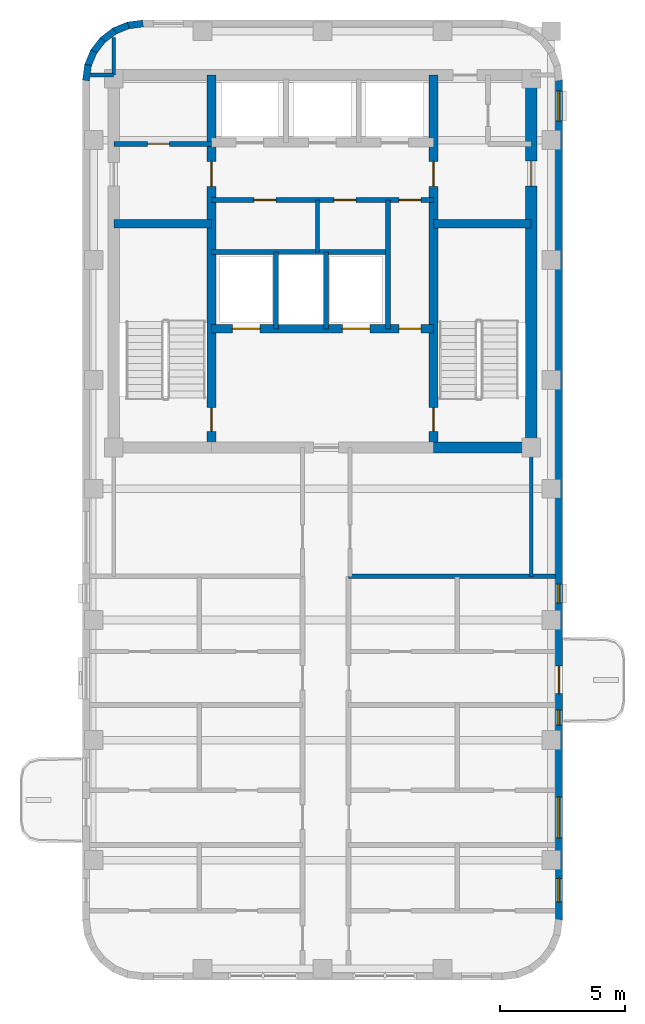
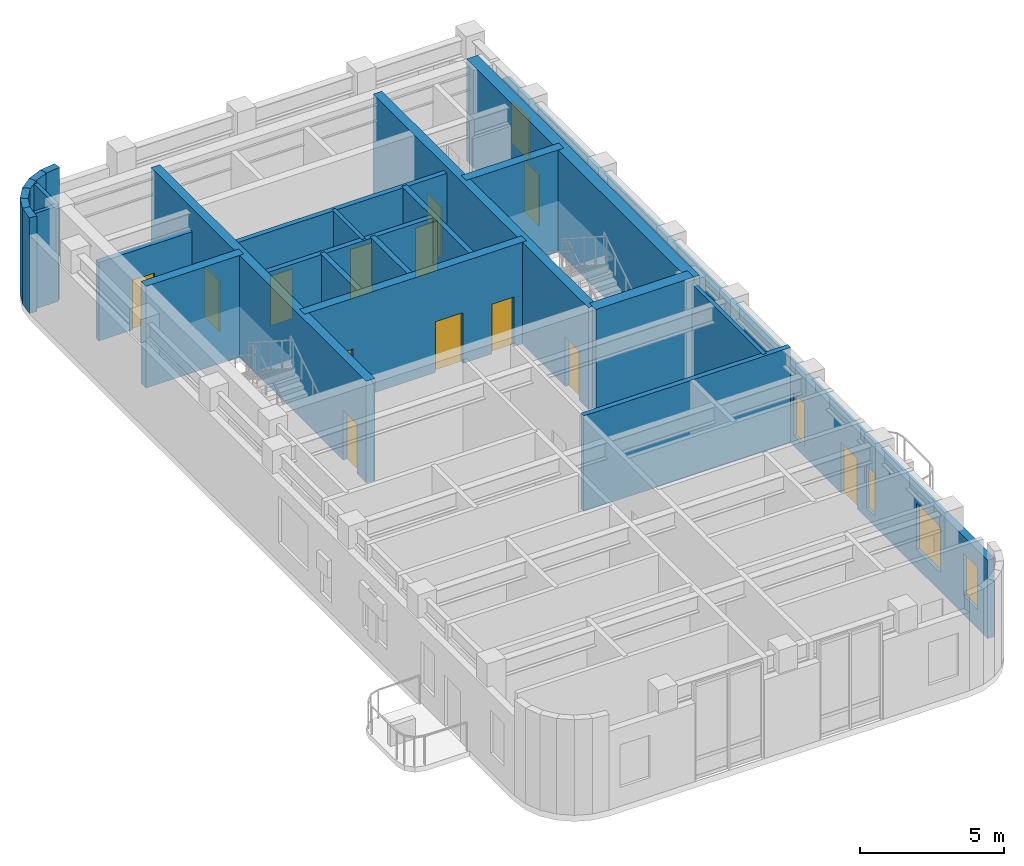
# One storey, part 4 of 6: 25 walls, 13 doors, 5 windows, 18 openings.
"""IFC4 building model written with IfcOpenShell, lengths in metres."""

from ifc_helpers import new_model, si_unit, direction, frame, frame_2d, origin, place, context, subcontext, project, spatial, rectangle, extrude, material, layer, layer_set, type_object, element, fill, save


model = new_model("IFC4")

# Units and contexts
model_context = context("Model", 3, precision=1e-05, world=origin(), true_north=direction((0.0, 1.0)))
body_context = subcontext(model_context, "Body", "Model", "MODEL_VIEW")
ifc_project = project(units=[si_unit("LENGTHUNIT", "METRE"), si_unit("AREAUNIT", "SQUARE_METRE"), si_unit("VOLUMEUNIT", "CUBIC_METRE"), si_unit("PLANEANGLEUNIT", "RADIAN"), si_unit("MASSUNIT", "GRAM", prefix="KILO")], contexts=[model_context])

# Site, building, storey
site_placement = place(None, origin())
site = spatial("IfcSite", under=ifc_project, at=site_placement, CompositionType="ELEMENT")
building_placement = place(site_placement, origin())
building = spatial("IfcBuilding", under=site, at=building_placement, Name="Orvandelia Arch Residences", CompositionType="ELEMENT")
storey_placement = place(building_placement, frame((0.0, 0.0, 252.699951171875)))
storey = spatial("IfcBuildingStorey", under=building, at=storey_placement, Name="L66", CompositionType="ELEMENT", Elevation=252.699951171875)

# Wall, openings, doors
ifc_material_1 = material(Name="Concrete C50/60", Category="concrete")
ifc_layer_1 = layer(ifc_material_1, 0.35009765625, Name="Concrete C50/60", Category="concrete")
ifc_layer_set_1 = layer_set([ifc_layer_1], Name="Concrete C50/60")
wall_type_1 = type_object("IfcWallType", Name="WL-CORE-350", PredefinedType="SHEAR", material=ifc_layer_set_1)
wall_1_placement = place(storey_placement, frame((9.9599609375, 30.89990234375, 0.0), z_axis=(0.0, 0.0, 1.0), x_axis=(0.0, 1.0, 0.0)))
wall_1 = element("IfcWall", 1, at=wall_1_placement, inside=storey, type_object=wall_type_1, Name="Core Shear Wall L66-WEB1", PredefinedType="SHEAR", context=body_context, shape_type="SweptSolid", body=[
    extrude(rectangle(XDim=14.900146484375, YDim=0.35009765625, at=frame_2d((7.4501953125, 0.0))), origin(), (0.0, 0.0, 1.0), 4.300048828125),
])
opening_1_placement = place(wall_1_placement, frame((0.64990234375, 0.0, 0.0)))
opening_1 = element("IfcOpeningElement", 2, at=opening_1_placement, cuts=wall_1, Name="Opening D7", PredefinedType="OPENING", context=body_context, shape_type="SweptSolid", body=[
    extrude(rectangle(XDim=0.949951171875, YDim=2.10009765625, at=frame_2d((0.47509765625, 1.050048828125))), frame((0.0, 0.18505859375, 0.0), z_axis=(0.0, -1.0, 0.0), x_axis=(1.0, 0.0, 0.0)), (0.0, 0.0, 1.0), 0.3701171875),
])
opening_2_placement = place(wall_1_placement, frame((10.449951171875, 0.0, 0.0)))
opening_2 = element("IfcOpeningElement", 3, at=opening_2_placement, cuts=wall_1, Name="Opening D6", PredefinedType="OPENING", context=body_context, shape_type="SweptSolid", body=[
    extrude(rectangle(XDim=1.0, YDim=2.14990234375, at=frame_2d((0.5, 1.074951171875))), frame((0.0, 0.18505859375, 0.0), z_axis=(0.0, -1.0, 0.0), x_axis=(1.0, 0.0, 0.0)), (0.0, 0.0, 1.0), 0.3701171875),
])
ifc_material_2 = material(Name="Smokeproof Painted Steel Fire Door", Category="steel")
door_type_1 = type_object("IfcDoorType", Name="DR-FD60-1000", OperationType="NOTDEFINED", PredefinedType="DOOR", material=ifc_material_2)
door_1_placement = place(opening_2_placement, origin())
door_1 = element("IfcDoor", 4, at=door_1_placement, inside=storey, type_object=door_type_1, Name="High-Rise Lift Hall West Vestibule Door L66", OperationType="SINGLE_SWING_LEFT", OverallHeight=2.14990234375, OverallWidth=1.0, PredefinedType="DOOR", context=body_context, shape_type="SweptSolid", body=[
    extrude(rectangle(XDim=1.0, YDim=2.14990234375, at=frame_2d((0.5, 1.074951171875))), frame((0.0, 0.02490234375, 0.0), z_axis=(0.0, -1.0, 0.0), x_axis=(1.0, 0.0, 0.0)), (0.0, 0.0, 1.0), 0.050048828125),
])
fill(opening_2, door_1)
ifc_material_3 = material(Name="Pressurised Stairwell Fire Door")
door_type_2 = type_object("IfcDoorType", Name="DR-STAIR-950", OperationType="NOTDEFINED", PredefinedType="DOOR", material=ifc_material_3)
door_2_placement = place(opening_1_placement, origin())
door_2 = element("IfcDoor", 5, at=door_2_placement, inside=storey, type_object=door_type_2, Name="Stairwell ST-1 Fire Door L66", OperationType="SINGLE_SWING_LEFT", OverallHeight=2.10009765625, OverallWidth=0.949951171875, PredefinedType="DOOR", context=body_context, shape_type="SweptSolid", body=[
    extrude(rectangle(XDim=0.949951171875, YDim=2.10009765625, at=frame_2d((0.47509765625, 1.050048828125))), frame((0.0, 0.02490234375, 0.0), z_axis=(0.0, -1.0, 0.0), x_axis=(1.0, 0.0, 0.0)), (0.0, 0.0, 1.0), 0.050048828125),
])
fill(opening_1, door_2)

wall_2_placement = place(storey_placement, frame((18.840087890625, 30.89990234375, 0.0), z_axis=(0.0, 0.0, 1.0), x_axis=(0.0, 1.0, 0.0)))
wall_2 = element("IfcWall", 6, at=wall_2_placement, inside=storey, type_object=wall_type_1, Name="Core Shear Wall L66-WEB2", PredefinedType="SHEAR", context=body_context, shape_type="SweptSolid", body=[
    extrude(rectangle(XDim=14.900146484375, YDim=0.35009765625, at=frame_2d((7.4501953125, 0.0))), origin(), (0.0, 0.0, 1.0), 4.300048828125),
])
opening_3_placement = place(wall_2_placement, frame((0.64990234375, 0.0, 0.0)))
opening_3 = element("IfcOpeningElement", 7, at=opening_3_placement, cuts=wall_2, Name="Opening D7", PredefinedType="OPENING", context=body_context, shape_type="SweptSolid", body=[
    extrude(rectangle(XDim=0.949951171875, YDim=2.10009765625, at=frame_2d((0.47509765625, 1.050048828125))), frame((0.0, 0.18505859375, 0.0), z_axis=(0.0, -1.0, 0.0), x_axis=(1.0, 0.0, 0.0)), (0.0, 0.0, 1.0), 0.3701171875),
])
opening_4_placement = place(wall_2_placement, frame((10.449951171875, 0.0, 0.0)))
opening_4 = element("IfcOpeningElement", 8, at=opening_4_placement, cuts=wall_2, Name="Opening D6", PredefinedType="OPENING", context=body_context, shape_type="SweptSolid", body=[
    extrude(rectangle(XDim=1.0, YDim=2.14990234375, at=frame_2d((0.5, 1.074951171875))), frame((0.0, 0.18505859375, 0.0), z_axis=(0.0, -1.0, 0.0), x_axis=(1.0, 0.0, 0.0)), (0.0, 0.0, 1.0), 0.3701171875),
])
door_3_placement = place(opening_4_placement, origin())
door_3 = element("IfcDoor", 9, at=door_3_placement, inside=storey, type_object=door_type_1, Name="High-Rise Lift Hall East Vestibule Door L66", OperationType="SINGLE_SWING_RIGHT", OverallHeight=2.14990234375, OverallWidth=1.0, PredefinedType="DOOR", context=body_context, shape_type="SweptSolid", body=[
    extrude(rectangle(XDim=1.0, YDim=2.14990234375, at=frame_2d((0.5, 1.074951171875))), frame((0.0, 0.02490234375, 0.0), z_axis=(0.0, -1.0, 0.0), x_axis=(1.0, 0.0, 0.0)), (0.0, 0.0, 1.0), 0.050048828125),
])
fill(opening_4, door_3)
door_4_placement = place(opening_3_placement, origin())
door_4 = element("IfcDoor", 10, at=door_4_placement, inside=storey, type_object=door_type_2, Name="Stairwell ST-2 Fire Door L66", OperationType="SINGLE_SWING_RIGHT", OverallHeight=2.10009765625, OverallWidth=0.949951171875, PredefinedType="DOOR", context=body_context, shape_type="SweptSolid", body=[
    extrude(rectangle(XDim=0.949951171875, YDim=2.10009765625, at=frame_2d((0.47509765625, 1.050048828125))), frame((0.0, 0.02490234375, 0.0), z_axis=(0.0, -1.0, 0.0), x_axis=(1.0, 0.0, 0.0)), (0.0, 0.0, 1.0), 0.050048828125),
])
fill(opening_3, door_4)

# Walls
for number, where, z_axis, x_axis, name in (
    (11, (6.050048828125, 39.85009765625, 0.0), (0.0, 0.0, 1.0), (1.0, 0.0, 0.0), "Core Shear Wall L66-HZ1"),
    (12, (18.840087890625, 39.85009765625, 0.0), (0.0, 0.0, 1.0), (1.0, 0.0, 0.0), "Core Shear Wall L66-HZ2"),
):
    element("IfcWall", number, at=place(storey_placement, frame(where, z_axis=z_axis, x_axis=x_axis)), inside=storey, type_object=wall_type_1, Name=name, PredefinedType="SHEAR", context=body_context, shape_type="SweptSolid", body=[
        extrude(rectangle(XDim=3.909912109375, YDim=0.35009765625, at=frame_2d((1.955078125, 0.0))), origin(), (0.0, 0.0, 1.0), 4.300048828125),
    ])

# Wall, openings, doors
wall_3_placement = place(storey_placement, frame((9.9599609375, 35.64990234375, 0.0), z_axis=(0.0, 0.0, 1.0), x_axis=(1.0, 0.0, 0.0)))
wall_3 = element("IfcWall", 13, at=wall_3_placement, inside=storey, type_object=wall_type_1, Name="Core Shear Wall L66-HZ3", PredefinedType="SHEAR", context=body_context, shape_type="SweptSolid", body=[
    extrude(rectangle(XDim=8.880126953125, YDim=0.35009765625, at=frame_2d((4.43994140625, 0.0))), origin(), (0.0, 0.0, 1.0), 4.300048828125),
])
opening_5_placement = place(wall_3_placement, frame((0.840087890625, 0.0, 0.0)))
opening_5 = element("IfcOpeningElement", 14, at=opening_5_placement, cuts=wall_3, Name="Opening FLD", PredefinedType="OPENING", context=body_context, shape_type="SweptSolid", body=[
    extrude(rectangle(XDim=1.10009765625, YDim=2.14990234375, at=frame_2d((0.550048828125, 1.074951171875))), frame((0.0, 0.18505859375, 0.0), z_axis=(0.0, -1.0, 0.0), x_axis=(1.0, 0.0, 0.0)), (0.0, 0.0, 1.0), 0.3701171875),
])
opening_6_placement = place(wall_3_placement, frame((5.239990234375, 0.0, 0.0)))
opening_6 = element("IfcOpeningElement", 15, at=opening_6_placement, cuts=wall_3, Name="Opening FLD", PredefinedType="OPENING", context=body_context, shape_type="SweptSolid", body=[
    extrude(rectangle(XDim=1.10009765625, YDim=2.14990234375, at=frame_2d((0.550048828125, 1.074951171875))), frame((0.0, 0.18505859375, 0.0), z_axis=(0.0, -1.0, 0.0), x_axis=(1.0, 0.0, 0.0)), (0.0, 0.0, 1.0), 0.3701171875),
])
opening_7_placement = place(wall_3_placement, frame((7.5, 0.0, 0.0)))
opening_7 = element("IfcOpeningElement", 16, at=opening_7_placement, cuts=wall_3, Name="Opening D5", PredefinedType="OPENING", context=body_context, shape_type="SweptSolid", body=[
    extrude(rectangle(XDim=0.8798828125, YDim=2.10009765625, at=frame_2d((0.43994140625, 1.050048828125))), frame((0.0, 0.18505859375, 0.0), z_axis=(0.0, -1.0, 0.0), x_axis=(1.0, 0.0, 0.0)), (0.0, 0.0, 1.0), 0.3701171875),
])
ifc_material_4 = material(Name="Firefighting Lift Stainless Sliding Door")
door_type_3 = type_object("IfcDoorType", Name="DR-FLFT-1100", OperationType="NOTDEFINED", PredefinedType="DOOR", material=ifc_material_4)
door_5_placement = place(opening_5_placement, origin())
door_5 = element("IfcDoor", 17, at=door_5_placement, inside=storey, type_object=door_type_3, Name="Firefighting Lift Landing Door FLD-FL1-L66", OperationType="SLIDING_TO_LEFT", OverallHeight=2.14990234375, OverallWidth=1.10009765625, PredefinedType="DOOR", context=body_context, shape_type="SweptSolid", body=[
    extrude(rectangle(XDim=1.10009765625, YDim=2.14990234375, at=frame_2d((0.550048828125, 1.074951171875))), frame((0.0, 0.02490234375, 0.0), z_axis=(0.0, -1.0, 0.0), x_axis=(1.0, 0.0, 0.0)), (0.0, 0.0, 1.0), 0.050048828125),
])
fill(opening_5, door_5)
door_6_placement = place(opening_6_placement, origin())
door_6 = element("IfcDoor", 18, at=door_6_placement, inside=storey, type_object=door_type_3, Name="Firefighting Lift Landing Door FLD-FL2-L66", OperationType="SLIDING_TO_RIGHT", OverallHeight=2.14990234375, OverallWidth=1.10009765625, PredefinedType="DOOR", context=body_context, shape_type="SweptSolid", body=[
    extrude(rectangle(XDim=1.10009765625, YDim=2.14990234375, at=frame_2d((0.550048828125, 1.074951171875))), frame((0.0, 0.02490234375, 0.0), z_axis=(0.0, -1.0, 0.0), x_axis=(1.0, 0.0, 0.0)), (0.0, 0.0, 1.0), 0.050048828125),
])
fill(opening_6, door_6)
ifc_material_5 = material(Name="Painted Galvanised Steel Service Door", Category="steel")
door_type_4 = type_object("IfcDoorType", Name="DR-SRV-880", OperationType="NOTDEFINED", PredefinedType="DOOR", material=ifc_material_5)
door_7_placement = place(opening_7_placement, origin())
door_7 = element("IfcDoor", 19, at=door_7_placement, inside=storey, type_object=door_type_4, Name="Core Stairway Passage South Fire Door L66", OperationType="SINGLE_SWING_LEFT", OverallHeight=2.10009765625, OverallWidth=0.8798828125, PredefinedType="DOOR", context=body_context, shape_type="SweptSolid", body=[
    extrude(rectangle(XDim=0.8798828125, YDim=2.10009765625, at=frame_2d((0.43994140625, 1.050048828125))), frame((0.0, 0.02490234375, 0.0), z_axis=(0.0, -1.0, 0.0), x_axis=(1.0, 0.0, 0.0)), (0.0, 0.0, 1.0), 0.050048828125),
])
fill(opening_7, door_7)

# Wall, opening, door
ifc_layer_2 = layer(ifc_material_1, 0.449951171875, Name="Concrete C50/60", Category="concrete")
ifc_layer_set_2 = layer_set([ifc_layer_2], Name="Concrete C50/60")
wall_type_2 = type_object("IfcWallType", Name="WL-CORE-450", PredefinedType="SHEAR", material=ifc_layer_set_2)
wall_4_placement = place(storey_placement, frame((22.75, 30.675048828125, 0.0), z_axis=(0.0, 0.0, 1.0), x_axis=(0.0, 1.0, 0.0)))
wall_4 = element("IfcWall", 20, at=wall_4_placement, inside=storey, type_object=wall_type_2, Name="Core Shear Wall L66-E", PredefinedType="SHEAR", context=body_context, shape_type="SweptSolid", body=[
    extrude(rectangle(XDim=15.349853515625, YDim=0.449951171875, at=frame_2d((7.6748046875, 0.0))), origin(), (0.0, 0.0, 1.0), 4.300048828125),
])
opening_8_placement = place(wall_4_placement, frame((10.675048828125, 0.0, 0.0)))
opening_8 = element("IfcOpeningElement", 21, at=opening_8_placement, cuts=wall_4, Name="Opening D6", PredefinedType="OPENING", context=body_context, shape_type="SweptSolid", body=[
    extrude(rectangle(XDim=1.0, YDim=2.14990234375, at=frame_2d((0.5, 1.074951171875))), frame((0.0, 0.23486328125, 0.0), z_axis=(0.0, -1.0, 0.0), x_axis=(1.0, 0.0, 0.0)), (0.0, 0.0, 1.0), 0.469970703125),
])
door_8_placement = place(opening_8_placement, origin())
door_8 = element("IfcDoor", 22, at=door_8_placement, inside=storey, type_object=door_type_1, Name="Core East Corridor Link Door L66", OperationType="SINGLE_SWING_LEFT", OverallHeight=2.14990234375, OverallWidth=1.0, PredefinedType="DOOR", context=body_context, shape_type="SweptSolid", body=[
    extrude(rectangle(XDim=1.0, YDim=2.14990234375, at=frame_2d((0.5, 1.074951171875))), frame((0.0, 0.02490234375, 0.0), z_axis=(0.0, -1.0, 0.0), x_axis=(1.0, 0.0, 0.0)), (0.0, 0.0, 1.0), 0.050048828125),
])
fill(opening_8, door_8)

# Walls
wall_5_placement = place(storey_placement, frame((18.840087890625, 30.89990234375, 0.0), z_axis=(0.0, 0.0, 1.0), x_axis=(1.0, 0.0, 0.0)))
element("IfcWall", 23, at=wall_5_placement, inside=storey, type_object=wall_type_2, Name="Core Shear Wall L66-SE", PredefinedType="SHEAR", context=body_context, shape_type="SweptSolid", body=[
    extrude(rectangle(XDim=3.909912109375, YDim=0.449951171875, at=frame_2d((1.955078125, 0.0))), origin(), (0.0, 0.0, 1.0), 4.300048828125),
])
ifc_material_6 = material(Name="Fire-Rated Corridor Partition")
ifc_layer_3 = layer(ifc_material_6, 0.199951171875, Name="Fire-Rated Corridor Partition")
ifc_layer_set_3 = layer_set([ifc_layer_3], Name="Fire-Rated Corridor Partition")
wall_type_3 = type_object("IfcWallType", Name="WL-CORR-200", PredefinedType="PARTITIONING", material=ifc_layer_set_3)
wall_6_placement = place(storey_placement, frame((15.449951171875, 25.75, 0.0), z_axis=(0.0, 0.0, 1.0), x_axis=(1.0, 0.0, 0.0)))
element("IfcWall", 24, at=wall_6_placement, inside=storey, type_object=wall_type_3, Name="Interior Partition Wall WL-L66-WCLS-E", PredefinedType="PARTITIONING", context=body_context, shape_type="SweptSolid", body=[
    extrude(rectangle(XDim=8.27001953125, YDim=0.199951171875, at=frame_2d((4.135009765625, 0.0))), origin(), (0.0, 0.0, 1.0), 4.0400390625),
])
ifc_material_7 = material(Name="Precast concrete C40/50", Category="concrete")
ifc_layer_4 = layer(ifc_material_7, 0.280029296875, Name="Precast concrete C40/50", Category="concrete")
ifc_layer_set_4 = layer_set([ifc_layer_4], Name="Precast concrete C40/50")
wall_type_4 = type_object("IfcWallType", Name="WL-EXT-STONE-280", PredefinedType="STANDARD", material=ifc_layer_set_4)
for number, where, z_axis, x_axis, name in (
    (25, (4.938720703125, 45.581787109375, 0.0), (0.0, 0.0, 1.0), (0.130555323746, 0.9914410257, 0.0), "Coral-Limestone Precast Facade Wall L66-001"),
    (26, (5.010986328125, 46.16748046875, 0.0), (0.0, 0.0, 1.0), (0.382650053678, 0.92389335771, 0.0), "Coral-Limestone Precast Facade Wall L66-002"),
    (27, (5.232666015625, 46.71484375, 0.0), (0.0, 0.0, 1.0), (0.608693302629, 0.793405610854, 0.0), "Coral-Limestone Precast Facade Wall L66-003"),
    (28, (5.588134765625, 47.18603515625, 0.0), (0.0, 0.0, 1.0), (0.793405610854, 0.608693302629, 0.0), "Coral-Limestone Precast Facade Wall L66-004"),
):
    element("IfcWall", number, at=place(storey_placement, frame(where, z_axis=z_axis, x_axis=x_axis)), inside=storey, type_object=wall_type_4, Name=name, PredefinedType="STANDARD", context=body_context, shape_type="SweptSolid", body=[
        extrude(rectangle(XDim=0.62646484375, YDim=0.280029296875, at=frame_2d((0.313232421875, 0.0))), origin(), (0.0, 0.0, 1.0), 4.0400390625),
    ])
wall_7_placement = place(storey_placement, frame((6.0537109375, 47.54931640625, 0.0), z_axis=(0.0, 0.0, 1.0), x_axis=(0.923974080304, 0.382455093999, 0.0)))
element("IfcWall", 29, at=wall_7_placement, inside=storey, type_object=wall_type_4, Name="Coral-Limestone Precast Facade Wall L66-005", PredefinedType="STANDARD", context=body_context, shape_type="SweptSolid", body=[
    extrude(rectangle(XDim=0.626220703125, YDim=0.280029296875, at=frame_2d((0.31298828125, 0.0))), origin(), (0.0, 0.0, 1.0), 4.0400390625),
])
wall_8_placement = place(storey_placement, frame((6.59716796875, 47.779296875, 0.0), z_axis=(0.0, 0.0, 1.0), x_axis=(0.9914410257, 0.130555323746, 0.0)))
element("IfcWall", 30, at=wall_8_placement, inside=storey, type_object=wall_type_4, Name="Coral-Limestone Precast Facade Wall L66-006", PredefinedType="STANDARD", context=body_context, shape_type="SweptSolid", body=[
    extrude(rectangle(XDim=0.62646484375, YDim=0.280029296875, at=frame_2d((0.313232421875, 0.0))), origin(), (0.0, 0.0, 1.0), 4.0400390625),
])

# Wall, openings, door, windows
wall_9_placement = place(storey_placement, frame((23.860107421875, 45.60009765625, 0.0), z_axis=(0.0, 0.0, 1.0), x_axis=(0.0, -1.0, 0.0)))
wall_9 = element("IfcWall", 31, at=wall_9_placement, inside=storey, type_object=wall_type_4, Name="Coral-Limestone Precast Facade Wall L66-014", PredefinedType="STANDARD", context=body_context, shape_type="SweptSolid", body=[
    extrude(rectangle(XDim=33.60009765625, YDim=0.280029296875, at=frame_2d((16.800048828125, 0.0))), origin(), (0.0, 0.0, 1.0), 3.320068359375),
])
opening_9_placement = place(wall_9_placement, frame((23.449951171875, 0.0, 0.0)))
opening_9 = element("IfcOpeningElement", 32, at=opening_9_placement, cuts=wall_9, Name="Opening BD1", PredefinedType="OPENING", context=body_context, shape_type="SweptSolid", body=[
    extrude(rectangle(XDim=1.10009765625, YDim=2.14990234375, at=frame_2d((0.550048828125, 1.074951171875))), frame((0.0, 0.14990234375, 0.0), z_axis=(0.0, -1.0, 0.0), x_axis=(1.0, 0.0, 0.0)), (0.0, 0.0, 1.0), 0.300048828125),
])
opening_10_placement = place(wall_9_placement, frame((28.678955078125, 0.0, 0.800048828125)))
opening_10 = element("IfcOpeningElement", 33, at=opening_10_placement, cuts=wall_9, Name="Opening W9", PredefinedType="OPENING", context=body_context, shape_type="SweptSolid", body=[
    extrude(rectangle(XDim=1.64990234375, YDim=1.949951171875, at=frame_2d((0.824951171875, 0.97509765625))), frame((0.0, 0.14990234375, 0.0), z_axis=(0.0, -1.0, 0.0), x_axis=(1.0, 0.0, 0.0)), (0.0, 0.0, 1.0), 0.300048828125),
])
opening_11_placement = place(wall_9_placement, frame((0.4326171875, 0.0, 0.800048828125)))
opening_11 = element("IfcOpeningElement", 34, at=opening_11_placement, cuts=wall_9, Name="Opening W3", PredefinedType="OPENING", context=body_context, shape_type="SweptSolid", body=[
    extrude(rectangle(XDim=1.199951171875, YDim=1.800048828125, at=frame_2d((0.60009765625, 0.89990234375))), frame((0.0, 0.14990234375, 0.0), z_axis=(0.0, -1.0, 0.0), x_axis=(1.0, 0.0, 0.0)), (0.0, 0.0, 1.0), 0.300048828125),
])
opening_12_placement = place(wall_9_placement, frame((31.9345703125, 0.0, 0.800048828125)))
opening_12 = element("IfcOpeningElement", 35, at=opening_12_placement, cuts=wall_9, Name="Opening W4", PredefinedType="OPENING", context=body_context, shape_type="SweptSolid", body=[
    extrude(rectangle(XDim=0.949951171875, YDim=1.800048828125, at=frame_2d((0.47509765625, 0.89990234375))), frame((0.0, 0.14990234375, 0.0), z_axis=(0.0, -1.0, 0.0), x_axis=(1.0, 0.0, 0.0)), (0.0, 0.0, 1.0), 0.300048828125),
])
opening_13_placement = place(wall_9_placement, frame((25.202392578125, 0.0, 0.449951171875)))
opening_13 = element("IfcOpeningElement", 36, at=opening_13_placement, cuts=wall_9, Name="Opening W12", PredefinedType="OPENING", context=body_context, shape_type="SweptSolid", body=[
    extrude(rectangle(XDim=0.60009765625, YDim=1.800048828125, at=frame_2d((0.300048828125, 0.89990234375))), frame((0.0, 0.14990234375, 0.0), z_axis=(0.0, -1.0, 0.0), x_axis=(1.0, 0.0, 0.0)), (0.0, 0.0, 1.0), 0.300048828125),
])
opening_14_placement = place(wall_9_placement, frame((20.16748046875, 0.0, 0.449951171875)))
opening_14 = element("IfcOpeningElement", 37, at=opening_14_placement, cuts=wall_9, Name="Opening W11", PredefinedType="OPENING", context=body_context, shape_type="SweptSolid", body=[
    extrude(rectangle(XDim=0.75, YDim=1.800048828125, at=frame_2d((0.375, 0.89990234375))), frame((0.0, 0.14990234375, 0.0), z_axis=(0.0, -1.0, 0.0), x_axis=(1.0, 0.0, 0.0)), (0.0, 0.0, 1.0), 0.300048828125),
])
ifc_material_8 = material(Name="Thermally Broken Aluminium Glazed Door", Category="aluminium")
door_type_5 = type_object("IfcDoorType", Name="DR-BAL-GLAZ-1100", OperationType="NOTDEFINED", PredefinedType="DOOR", material=ifc_material_8)
door_9_placement = place(opening_9_placement, origin())
door_9 = element("IfcDoor", 38, at=door_9_placement, inside=storey, type_object=door_type_5, Name="Tree Balcony Glazed Door BAL-L66-W2", OperationType="SINGLE_SWING_LEFT", OverallHeight=2.14990234375, OverallWidth=1.10009765625, PredefinedType="DOOR", context=body_context, shape_type="SweptSolid", body=[
    extrude(rectangle(XDim=1.10009765625, YDim=2.14990234375, at=frame_2d((0.550048828125, 1.074951171875))), frame((0.0, 0.02490234375, 0.0), z_axis=(0.0, -1.0, 0.0), x_axis=(1.0, 0.0, 0.0)), (0.0, 0.0, 1.0), 0.050048828125),
])
fill(opening_9, door_9)
ifc_material_9 = material(Name="Tempered Low-E Insulated Glazing", Category="glass")
window_type_1 = type_object("IfcWindowType", Name="WIN-BED-0750x1800", PartitioningType="SINGLE_PANEL", PredefinedType="WINDOW", material=ifc_material_9)
window_1_placement = place(opening_14_placement, origin())
window_1 = element("IfcWindow", 39, at=window_1_placement, inside=storey, type_object=window_type_1, Name="Recessed Punched Window L66-006", OverallHeight=1.800048828125, OverallWidth=0.75, PartitioningType="SINGLE_PANEL", PredefinedType="WINDOW", context=body_context, shape_type="SweptSolid", body=[
    extrude(rectangle(XDim=0.75, YDim=1.800048828125, at=frame_2d((0.375, 0.89990234375))), frame((0.0, 0.030029296875, 0.0), z_axis=(0.0, -1.0, 0.0), x_axis=(1.0, 0.0, 0.0)), (0.0, 0.0, 1.0), 0.06005859375),
])
fill(opening_14, window_1)
window_type_2 = type_object("IfcWindowType", Name="WIN-LAN-0600x1800", PartitioningType="SINGLE_PANEL", PredefinedType="WINDOW", material=ifc_material_9)
window_2_placement = place(opening_13_placement, origin())
window_2 = element("IfcWindow", 40, at=window_2_placement, inside=storey, type_object=window_type_2, Name="Recessed Punched Window L66-005", OverallHeight=1.800048828125, OverallWidth=0.60009765625, PartitioningType="SINGLE_PANEL", PredefinedType="WINDOW", context=body_context, shape_type="SweptSolid", body=[
    extrude(rectangle(XDim=0.60009765625, YDim=1.800048828125, at=frame_2d((0.300048828125, 0.89990234375))), frame((0.0, 0.030029296875, 0.0), z_axis=(0.0, -1.0, 0.0), x_axis=(1.0, 0.0, 0.0)), (0.0, 0.0, 1.0), 0.06005859375),
])
fill(opening_13, window_2)
window_type_3 = type_object("IfcWindowType", Name="WIN-RES-0950x1800", PartitioningType="SINGLE_PANEL", PredefinedType="WINDOW", material=ifc_material_9)
window_3_placement = place(opening_12_placement, origin())
window_3 = element("IfcWindow", 41, at=window_3_placement, inside=storey, type_object=window_type_3, Name="Recessed Punched Window L66-004", OverallHeight=1.800048828125, OverallWidth=0.949951171875, PartitioningType="SINGLE_PANEL", PredefinedType="WINDOW", context=body_context, shape_type="SweptSolid", body=[
    extrude(rectangle(XDim=0.949951171875, YDim=1.800048828125, at=frame_2d((0.47509765625, 0.89990234375))), frame((0.0, 0.030029296875, 0.0), z_axis=(0.0, -1.0, 0.0), x_axis=(1.0, 0.0, 0.0)), (0.0, 0.0, 1.0), 0.06005859375),
])
fill(opening_12, window_3)
window_type_4 = type_object("IfcWindowType", Name="WIN-RES-1200x1800", PartitioningType="SINGLE_PANEL", PredefinedType="WINDOW", material=ifc_material_9)
window_4_placement = place(opening_11_placement, origin())
window_4 = element("IfcWindow", 42, at=window_4_placement, inside=storey, type_object=window_type_4, Name="Recessed Punched Window L66-003", OverallHeight=1.800048828125, OverallWidth=1.199951171875, PartitioningType="SINGLE_PANEL", PredefinedType="WINDOW", context=body_context, shape_type="SweptSolid", body=[
    extrude(rectangle(XDim=1.199951171875, YDim=1.800048828125, at=frame_2d((0.60009765625, 0.89990234375))), frame((0.0, 0.030029296875, 0.0), z_axis=(0.0, -1.0, 0.0), x_axis=(1.0, 0.0, 0.0)), (0.0, 0.0, 1.0), 0.06005859375),
])
fill(opening_11, window_4)
window_type_5 = type_object("IfcWindowType", Name="WIN-UPP-1650x1950", PartitioningType="SINGLE_PANEL", PredefinedType="WINDOW", material=ifc_material_9)
window_5_placement = place(opening_10_placement, origin())
window_5 = element("IfcWindow", 43, at=window_5_placement, inside=storey, type_object=window_type_5, Name="Recessed Punched Window L66-002", OverallHeight=1.949951171875, OverallWidth=1.64990234375, PartitioningType="SINGLE_PANEL", PredefinedType="WINDOW", context=body_context, shape_type="SweptSolid", body=[
    extrude(rectangle(XDim=1.64990234375, YDim=1.949951171875, at=frame_2d((0.824951171875, 0.97509765625))), frame((0.0, 0.030029296875, 0.0), z_axis=(0.0, -1.0, 0.0), x_axis=(1.0, 0.0, 0.0)), (0.0, 0.0, 1.0), 0.06005859375),
])
fill(opening_10, window_5)

# Walls
ifc_material_10 = material(Name="Acoustic Gypsum Stud Partition")
ifc_layer_5 = layer(ifc_material_10, 0.14990234375, Name="Acoustic Gypsum Stud Partition")
ifc_layer_set_5 = layer_set([ifc_layer_5], Name="Acoustic Gypsum Stud Partition")
wall_type_5 = type_object("IfcWallType", Name="WL-PART-150", PredefinedType="PARTITIONING", material=ifc_layer_set_5)
wall_10_placement = place(storey_placement, frame((14.199951171875, 38.719970703125, 0.0), z_axis=(0.0, 0.0, 1.0), x_axis=(0.0, 1.0, 0.0)))
element("IfcWall", 44, at=wall_10_placement, inside=storey, type_object=wall_type_5, Name="Interior Partition Wall WL-L66-CSA-1", PredefinedType="PARTITIONING", context=body_context, shape_type="SweptSolid", body=[
    extrude(rectangle(XDim=2.080078125, YDim=0.14990234375, at=frame_2d((1.0400390625, 0.0))), origin(), (0.0, 0.0, 1.0), 4.0400390625),
])
wall_11_placement = place(storey_placement, frame((22.75, 25.75, 0.0), z_axis=(0.0, 0.0, 1.0), x_axis=(0.0, 1.0, 0.0)))
element("IfcWall", 45, at=wall_11_placement, inside=storey, type_object=wall_type_5, Name="Interior Partition Wall WL-L66-HI-WE", PredefinedType="PARTITIONING", context=body_context, shape_type="SweptSolid", body=[
    extrude(rectangle(XDim=5.14990234375, YDim=0.14990234375, at=frame_2d((2.574951171875, 0.0))), origin(), (0.0, 0.0, 1.0), 4.0400390625),
])
wall_12_placement = place(storey_placement, frame((5.1201171875, 45.800048828125, 0.0), z_axis=(0.0, 0.0, 1.0), x_axis=(1.0, 0.0, 0.0)))
element("IfcWall", 46, at=wall_12_placement, inside=storey, type_object=wall_type_5, Name="Interior Partition Wall WL-L66-WF-N", PredefinedType="PARTITIONING", context=body_context, shape_type="SweptSolid", body=[
    extrude(rectangle(XDim=0.929931640625, YDim=0.14990234375, at=frame_2d((0.46484375, 0.0))), origin(), (0.0, 0.0, 1.0), 4.0400390625),
])
wall_13_placement = place(storey_placement, frame((6.050048828125, 45.800048828125, 0.0), z_axis=(0.0, 0.0, 1.0), x_axis=(0.0, 1.0, 0.0)))
element("IfcWall", 47, at=wall_13_placement, inside=storey, type_object=wall_type_5, Name="Interior Partition Wall WL-L66-NHI-W6", PredefinedType="PARTITIONING", context=body_context, shape_type="SweptSolid", body=[
    extrude(rectangle(XDim=1.5, YDim=0.14990234375, at=frame_2d((0.75, 0.0))), origin(), (0.0, 0.0, 1.0), 4.0400390625),
])
ifc_material_11 = material(Name="Fire-Rated Shaft Enclosure Wall")
ifc_layer_6 = layer(ifc_material_11, 0.199951171875, Name="Fire-Rated Shaft Enclosure Wall")
ifc_layer_set_6 = layer_set([ifc_layer_6], Name="Fire-Rated Shaft Enclosure Wall")
wall_type_6 = type_object("IfcWallType", Name="WL-SHAFT-200", PredefinedType="POLYGONAL", material=ifc_layer_set_6)
wall_14_placement = place(storey_placement, frame((9.9599609375, 38.719970703125, 0.0), z_axis=(0.0, 0.0, 1.0), x_axis=(1.0, 0.0, 0.0)))
element("IfcWall", 48, at=wall_14_placement, inside=storey, type_object=wall_type_6, Name="Interior Partition Wall WL-L66-FLN", PredefinedType="POLYGONAL", context=body_context, shape_type="SweptSolid", body=[
    extrude(rectangle(XDim=7.06005859375, YDim=0.199951171875, at=frame_2d((3.530029296875, 0.0))), origin(), (0.0, 0.0, 1.0), 4.0400390625),
])
for number, where, z_axis, x_axis, name in (
    (49, (12.550048828125, 35.64990234375, 0.0), (0.0, 0.0, 1.0), (0.0, 1.0, 0.0), "Interior Partition Wall WL-L66-FLM1"),
    (50, (14.550048828125, 35.64990234375, 0.0), (0.0, 0.0, 1.0), (0.0, 1.0, 0.0), "Interior Partition Wall WL-L66-FLM2"),
):
    element("IfcWall", number, at=place(storey_placement, frame(where, z_axis=z_axis, x_axis=x_axis)), inside=storey, type_object=wall_type_6, Name=name, PredefinedType="POLYGONAL", context=body_context, shape_type="SweptSolid", body=[
        extrude(rectangle(XDim=3.070068359375, YDim=0.199951171875, at=frame_2d((1.53515625, 0.0))), origin(), (0.0, 0.0, 1.0), 4.0400390625),
    ])
wall_15_placement = place(storey_placement, frame((17.02001953125, 35.64990234375, 0.0), z_axis=(0.0, 0.0, 1.0), x_axis=(0.0, 1.0, 0.0)))
element("IfcWall", 51, at=wall_15_placement, inside=storey, type_object=wall_type_6, Name="Interior Partition Wall WL-L66-FLM3", PredefinedType="POLYGONAL", context=body_context, shape_type="SweptSolid", body=[
    extrude(rectangle(XDim=5.150146484375, YDim=0.199951171875, at=frame_2d((2.5751953125, 0.0))), origin(), (0.0, 0.0, 1.0), 4.0400390625),
])

# Wall, openings, doors
wall_16_placement = place(storey_placement, frame((9.9599609375, 40.800048828125, 0.0), z_axis=(0.0, 0.0, 1.0), x_axis=(1.0, 0.0, 0.0)))
wall_16 = element("IfcWall", 52, at=wall_16_placement, inside=storey, type_object=wall_type_6, Name="Interior Partition Wall WL-L66-HLH-S", PredefinedType="POLYGONAL", context=body_context, shape_type="SweptSolid", body=[
    extrude(rectangle(XDim=8.880126953125, YDim=0.199951171875, at=frame_2d((4.43994140625, 0.0))), origin(), (0.0, 0.0, 1.0), 4.0400390625),
])
opening_15_placement = place(wall_16_placement, frame((7.5, 0.0, 0.0)))
opening_15 = element("IfcOpeningElement", 53, at=opening_15_placement, cuts=wall_16, Name="Opening D5", PredefinedType="OPENING", context=body_context, shape_type="SweptSolid", body=[
    extrude(rectangle(XDim=0.8798828125, YDim=2.10009765625, at=frame_2d((0.43994140625, 1.050048828125))), frame((0.0, 0.10986328125, 0.0), z_axis=(0.0, -1.0, 0.0), x_axis=(1.0, 0.0, 0.0)), (0.0, 0.0, 1.0), 0.219970703125),
])
opening_16_placement = place(wall_16_placement, frame((1.699951171875, 0.0, 0.0)))
opening_16 = element("IfcOpeningElement", 54, at=opening_16_placement, cuts=wall_16, Name="Opening D5", PredefinedType="OPENING", context=body_context, shape_type="SweptSolid", body=[
    extrude(rectangle(XDim=0.8798828125, YDim=2.10009765625, at=frame_2d((0.43994140625, 1.050048828125))), frame((0.0, 0.10986328125, 0.0), z_axis=(0.0, -1.0, 0.0), x_axis=(1.0, 0.0, 0.0)), (0.0, 0.0, 1.0), 0.219970703125),
])
opening_17_placement = place(wall_16_placement, frame((4.89990234375, 0.0, 0.0)))
opening_17 = element("IfcOpeningElement", 55, at=opening_17_placement, cuts=wall_16, Name="Opening D5", PredefinedType="OPENING", context=body_context, shape_type="SweptSolid", body=[
    extrude(rectangle(XDim=0.8798828125, YDim=2.10009765625, at=frame_2d((0.43994140625, 1.050048828125))), frame((0.0, 0.10986328125, 0.0), z_axis=(0.0, -1.0, 0.0), x_axis=(1.0, 0.0, 0.0)), (0.0, 0.0, 1.0), 0.219970703125),
])
door_10_placement = place(opening_15_placement, origin())
door_10 = element("IfcDoor", 56, at=door_10_placement, inside=storey, type_object=door_type_4, Name="Core Stairway Passage North Fire Door L66", OperationType="SINGLE_SWING_RIGHT", OverallHeight=2.10009765625, OverallWidth=0.8798828125, PredefinedType="DOOR", context=body_context, shape_type="SweptSolid", body=[
    extrude(rectangle(XDim=0.8798828125, YDim=2.10009765625, at=frame_2d((0.43994140625, 1.050048828125))), frame((0.0, 0.02490234375, 0.0), z_axis=(0.0, -1.0, 0.0), x_axis=(1.0, 0.0, 0.0)), (0.0, 0.0, 1.0), 0.050048828125),
])
fill(opening_15, door_10)
door_11_placement = place(opening_16_placement, origin())
door_11 = element("IfcDoor", 57, at=door_11_placement, inside=storey, type_object=door_type_4, Name="DR-L66-CSA1", OperationType="SINGLE_SWING_LEFT", OverallHeight=2.10009765625, OverallWidth=0.8798828125, PredefinedType="DOOR", context=body_context, shape_type="SweptSolid", body=[
    extrude(rectangle(XDim=0.8798828125, YDim=2.10009765625, at=frame_2d((0.43994140625, 1.050048828125))), frame((0.0, 0.02490234375, 0.0), z_axis=(0.0, -1.0, 0.0), x_axis=(1.0, 0.0, 0.0)), (0.0, 0.0, 1.0), 0.050048828125),
])
fill(opening_16, door_11)
door_12_placement = place(opening_17_placement, origin())
door_12 = element("IfcDoor", 58, at=door_12_placement, inside=storey, type_object=door_type_4, Name="DR-L66-CSA2", OperationType="SINGLE_SWING_RIGHT", OverallHeight=2.10009765625, OverallWidth=0.8798828125, PredefinedType="DOOR", context=body_context, shape_type="SweptSolid", body=[
    extrude(rectangle(XDim=0.8798828125, YDim=2.10009765625, at=frame_2d((0.43994140625, 1.050048828125))), frame((0.0, 0.02490234375, 0.0), z_axis=(0.0, -1.0, 0.0), x_axis=(1.0, 0.0, 0.0)), (0.0, 0.0, 1.0), 0.050048828125),
])
fill(opening_17, door_12)

# Wall, opening, door
wall_17_placement = place(storey_placement, frame((6.050048828125, 43.050048828125, 0.0), z_axis=(0.0, 0.0, 1.0), x_axis=(1.0, 0.0, 0.0)))
wall_17 = element("IfcWall", 59, at=wall_17_placement, inside=storey, type_object=wall_type_6, Name="Interior Partition Wall WL-L66-HLW-N", PredefinedType="POLYGONAL", context=body_context, shape_type="SweptSolid", body=[
    extrude(rectangle(XDim=3.909912109375, YDim=0.199951171875, at=frame_2d((1.955078125, 0.0))), origin(), (0.0, 0.0, 1.0), 3.320068359375),
])
opening_18_placement = place(wall_17_placement, frame((1.35009765625, 0.0, 0.0)))
opening_18 = element("IfcOpeningElement", 60, at=opening_18_placement, cuts=wall_17, Name="Opening D5", PredefinedType="OPENING", context=body_context, shape_type="SweptSolid", body=[
    extrude(rectangle(XDim=0.8798828125, YDim=2.10009765625, at=frame_2d((0.43994140625, 1.050048828125))), frame((0.0, 0.10986328125, 0.0), z_axis=(0.0, -1.0, 0.0), x_axis=(1.0, 0.0, 0.0)), (0.0, 0.0, 1.0), 0.219970703125),
])
door_13_placement = place(opening_18_placement, origin())
door_13 = element("IfcDoor", 61, at=door_13_placement, inside=storey, type_object=door_type_4, Name="Riser Service Door L66", OperationType="SINGLE_SWING_RIGHT", OverallHeight=2.10009765625, OverallWidth=0.8798828125, PredefinedType="DOOR", context=body_context, shape_type="SweptSolid", body=[
    extrude(rectangle(XDim=0.8798828125, YDim=2.10009765625, at=frame_2d((0.43994140625, 1.050048828125))), frame((0.0, 0.02490234375, 0.0), z_axis=(0.0, -1.0, 0.0), x_axis=(1.0, 0.0, 0.0)), (0.0, 0.0, 1.0), 0.050048828125),
])
fill(opening_18, door_13)

save(model, "model.ifc")
